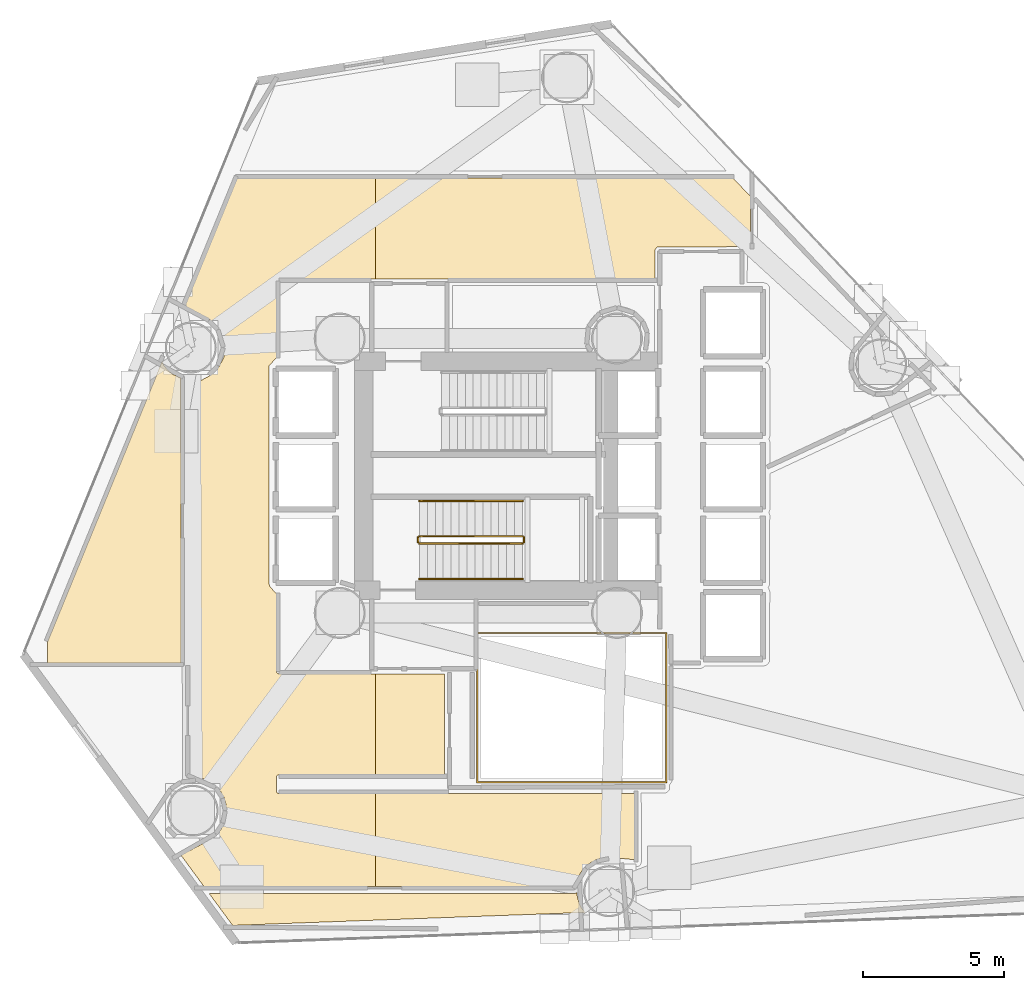
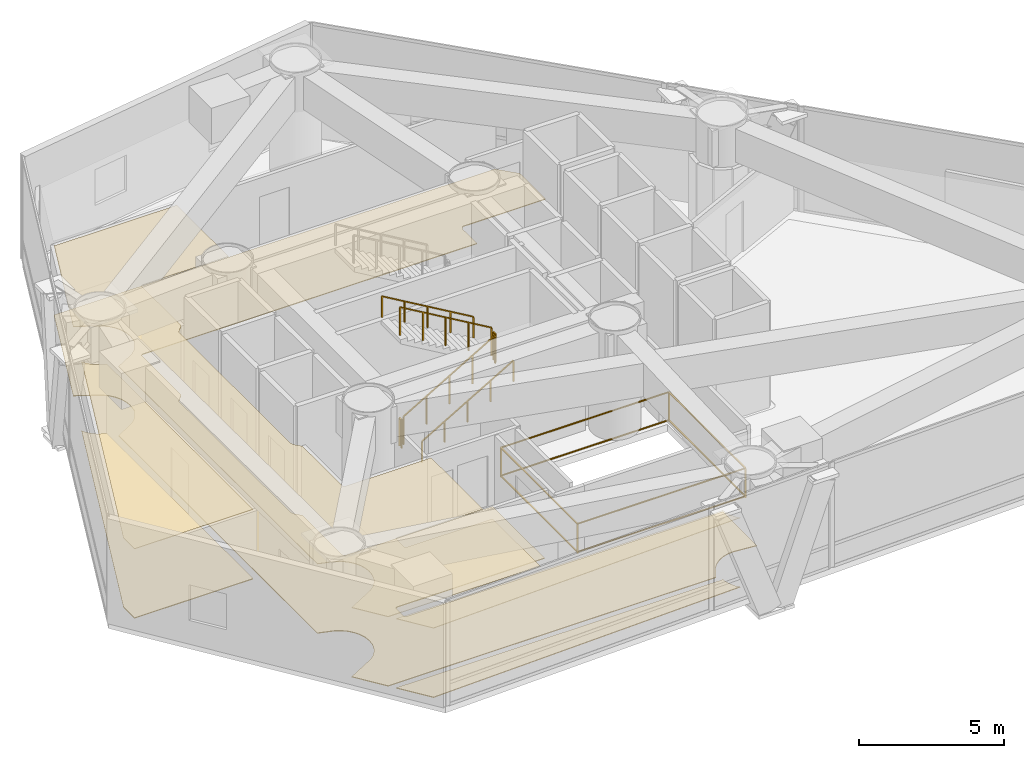
# One storey, part 20 of 22: 7 railings, 6 coverings.
"""IFC4 building model written with IfcOpenShell, lengths in metres."""

from ifc_helpers import new_model, si_unit, direction, frame, origin, origin_2d, place, context, subcontext, project, spatial, polyline, rectangle, outline, extrude, material, layer, layer_set, type_object, element, save


model = new_model("IFC4")

# Units and contexts
model_context = context("Model", 3, precision=1e-05, world=origin(), true_north=direction((0.0, 1.0)))
body_context = subcontext(model_context, "Body", "Model", "MODEL_VIEW")
ifc_project = project(units=[si_unit("LENGTHUNIT", "METRE"), si_unit("AREAUNIT", "SQUARE_METRE"), si_unit("VOLUMEUNIT", "CUBIC_METRE"), si_unit("PLANEANGLEUNIT", "RADIAN"), si_unit("MASSUNIT", "GRAM", prefix="KILO")], contexts=[model_context])

# Site, building, storey
site_placement = place(None, origin())
site = spatial("IfcSite", under=ifc_project, at=site_placement, CompositionType="ELEMENT")
building_placement = place(site_placement, origin())
building = spatial("IfcBuilding", under=site, at=building_placement, Name="Qianvela Tower", CompositionType="ELEMENT")
storey_placement = place(building_placement, frame((0.0, 0.0, 47.89990234375)))
storey = spatial("IfcBuildingStorey", under=building, at=storey_placement, Name="L11", CompositionType="ELEMENT", Elevation=47.89990234375)

# Coverings
ifc_material_1 = material(Name="Perforated Mineral Acoustic Ceiling Tile")
ifc_layer_1 = layer(ifc_material_1, 0.02490234375)
ifc_layer_set_1 = layer_set([ifc_layer_1], Name="Perforated Mineral Acoustic Ceiling Tile")
covering_type_1 = type_object("IfcCoveringType", Name="COV-CEIL-ACOUSTIC-25", PredefinedType="CEILING", material=ifc_layer_set_1)
covering_1_placement = place(storey_placement, frame((0.0, 0.0, 2.9150390625)))
element("IfcCovering", 1, at=covering_1_placement, inside=storey, type_object=covering_type_1, Name="L11 Acoustic Ceiling L11 Fire Refuge Area North", PredefinedType="CEILING", context=body_context, shape_type="SweptSolid", body=[
    extrude(outline(polyline([(22.324462890625, 32.740234375), (22.383544921875, 32.606689453125), (22.38671875, 32.600341796875), (22.390380859375, 32.593994140625), (22.394775390625, 32.58837890625), (22.526611328125, 32.427734375), (22.531982421875, 32.421875), (22.53759765625, 32.41650390625), (22.6982421875, 32.284912109375), (22.704345703125, 32.2802734375), (22.710693359375, 32.276611328125), (22.71728515625, 32.273193359375), (23.0, 32.1513671875), (23.0, 22.080078125), (18.280029296875, 22.080078125), (18.280029296875, 22.849365234375), (22.324462890625, 32.740234375)])), origin(), (0.0, 0.0, 1.0), 0.025146484375),
])
covering_2_placement = place(storey_placement, frame((0.0, 0.0, 2.9150390625)))
element("IfcCovering", 2, at=covering_2_placement, inside=storey, type_object=covering_type_1, Name="L11 Acoustic Ceiling Bay 1 L11 Mechanical Plant Corridor", PredefinedType="CEILING", context=body_context, shape_type="SweptSolid", body=[
    extrude(outline(polyline([(24.335693359375, 32.561279296875), (24.33984375, 32.568115234375), (24.49609375, 32.8603515625), (24.49951171875, 32.867431640625), (24.502197265625, 32.875), (24.50390625, 32.882568359375), (24.505126953125, 32.890380859375), (24.53759765625, 33.22021484375), (24.5380859375, 33.22802734375), (24.53759765625, 33.23583984375), (24.51611328125, 33.454345703125), (24.514892578125, 33.462158203125), (24.512939453125, 33.4697265625), (24.44921875, 33.6796875), (24.44677734375, 33.687255859375), (24.443359375, 33.6943359375), (24.33984375, 33.887939453125), (24.335693359375, 33.894775390625), (24.3310546875, 33.90087890625), (24.19189453125, 34.07080078125), (24.1865234375, 34.076416015625), (24.1806640625, 34.081787109375), (24.010986328125, 34.22119140625), (24.004638671875, 34.225830078125), (23.998046875, 34.229736328125), (23.12451171875, 34.69677734375), (24.97412109375, 39.219970703125), (29.857666015625, 39.219970703125), (29.857666015625, 35.659912109375), (26.449951171875, 35.659912109375), (26.442138671875, 35.65966796875), (26.434326171875, 35.658447265625), (26.4267578125, 35.656494140625), (26.41943359375, 35.65380859375), (26.412353515625, 35.650634765625), (26.405517578125, 35.646484375), (26.399169921875, 35.641845703125), (26.393310546875, 35.63671875), (26.38818359375, 35.630859375), (26.383544921875, 35.62451171875), (26.37939453125, 35.61767578125), (26.376220703125, 35.610595703125), (26.373291015625, 35.603271484375), (26.37158203125, 35.595703125), (26.370361328125, 35.587890625), (26.3701171875, 35.580078125), (26.3701171875, 32.8818359375), (26.1201171875, 32.598876953125), (26.114990234375, 32.592529296875), (26.1103515625, 32.58544921875), (26.106689453125, 32.578125), (26.103759765625, 32.5703125), (26.101806640625, 32.5625), (26.100341796875, 32.55419921875), (26.10009765625, 32.5458984375), (26.10009765625, 24.89990234375), (26.100341796875, 24.89306640625), (26.101318359375, 24.88623046875), (26.1025390625, 24.879638671875), (26.104736328125, 24.873046875), (26.136474609375, 24.7841796875), (26.139404296875, 24.777099609375), (26.143310546875, 24.77001953125), (26.1474609375, 24.763427734375), (26.152587890625, 24.757568359375), (26.3701171875, 24.517578125), (26.3701171875, 21.780029296875), (26.370361328125, 21.772216796875), (26.37158203125, 21.764404296875), (26.373291015625, 21.7568359375), (26.376220703125, 21.74951171875), (26.37939453125, 21.7421875), (26.383544921875, 21.735595703125), (26.38818359375, 21.729248046875), (26.393310546875, 21.723388671875), (26.399169921875, 21.71826171875), (26.405517578125, 21.71337890625), (26.412353515625, 21.70947265625), (26.41943359375, 21.7060546875), (26.4267578125, 21.703369140625), (26.434326171875, 21.701416015625), (26.442138671875, 21.700439453125), (26.449951171875, 21.699951171875), (29.857666015625, 21.699951171875), (29.857666015625, 18.1298828125), (26.449951171875, 18.1298828125), (26.442138671875, 18.129638671875), (26.434326171875, 18.12841796875), (26.4267578125, 18.126708984375), (26.41943359375, 18.123779296875), (26.412353515625, 18.12060546875), (26.405517578125, 18.116455078125), (26.399169921875, 18.11181640625), (26.393310546875, 18.106689453125), (26.38818359375, 18.100830078125), (26.383544921875, 18.094482421875), (26.37939453125, 18.087646484375), (26.376220703125, 18.08056640625), (26.373291015625, 18.0732421875), (26.37158203125, 18.065673828125), (26.370361328125, 18.057861328125), (26.3701171875, 18.050048828125), (26.3701171875, 17.550048828125), (26.370361328125, 17.542236328125), (26.37158203125, 17.534423828125), (26.373291015625, 17.52685546875), (26.376220703125, 17.519287109375), (26.37939453125, 17.51220703125), (26.383544921875, 17.505615234375), (26.38818359375, 17.499267578125), (26.393310546875, 17.493408203125), (26.399169921875, 17.48828125), (26.405517578125, 17.4833984375), (26.412353515625, 17.4794921875), (26.41943359375, 17.47607421875), (26.4267578125, 17.473388671875), (26.434326171875, 17.471435546875), (26.442138671875, 17.470458984375), (26.449951171875, 17.469970703125), (29.857666015625, 17.469970703125), (29.857666015625, 14.179931640625), (23.80517578125, 14.179931640625), (22.9912109375, 15.284912109375), (24.06396484375, 15.858154296875), (24.07080078125, 15.8623046875), (24.076904296875, 15.866943359375), (24.24658203125, 16.006103515625), (24.25244140625, 16.011474609375), (24.2578125, 16.017333984375), (24.397216796875, 16.18701171875), (24.40185546875, 16.193359375), (24.40576171875, 16.199951171875), (24.50927734375, 16.393798828125), (24.5126953125, 16.40087890625), (24.515380859375, 16.408203125), (24.5791015625, 16.618408203125), (24.580810546875, 16.6259765625), (24.58203125, 16.6337890625), (24.603515625, 16.852294921875), (24.60400390625, 16.860107421875), (24.603515625, 16.867919921875), (24.58203125, 17.086181640625), (24.580810546875, 17.093994140625), (24.5791015625, 17.101806640625), (24.515380859375, 17.311767578125), (24.5126953125, 17.319091796875), (24.50927734375, 17.326416015625), (24.40576171875, 17.52001953125), (24.40185546875, 17.526611328125), (24.397216796875, 17.532958984375), (24.2578125, 17.70263671875), (24.25244140625, 17.70849609375), (24.24658203125, 17.7138671875), (24.076904296875, 17.85302734375), (24.07080078125, 17.85791015625), (24.06396484375, 17.86181640625), (23.870361328125, 17.96533203125), (23.86328125, 17.96875), (23.855712890625, 17.97119140625), (23.280029296875, 18.14599609375), (23.280029296875, 31.84228515625), (23.998046875, 32.226318359375), (24.004638671875, 32.230224609375), (24.010986328125, 32.23486328125), (24.1806640625, 32.374267578125), (24.1865234375, 32.37939453125), (24.19189453125, 32.38525390625), (24.3310546875, 32.554931640625), (24.335693359375, 32.561279296875)])), origin(), (0.0, 0.0, 1.0), 0.025146484375),
])
covering_3_placement = place(storey_placement, frame((0.0, 0.0, 2.9150390625)))
element("IfcCovering", 3, at=covering_3_placement, inside=storey, type_object=covering_type_1, Name="L11 Acoustic Ceiling L11 Fire Refuge Area 3", PredefinedType="CEILING", context=body_context, shape_type="SweptSolid", body=[
    extrude(outline(polyline([(36.98388671875, 13.97216796875), (37.000732421875, 13.801513671875), (37.001953125, 13.793701171875), (37.00390625, 13.785888671875), (37.064208984375, 13.587158203125), (37.06689453125, 13.57958984375), (37.070068359375, 13.572509765625), (37.168212890625, 13.389404296875), (37.171630859375, 13.38330078125), (37.17578125, 13.37744140625), (37.180419921875, 13.3720703125), (37.281494140625, 13.265380859375), (24.8173828125, 12.805419921875), (23.981689453125, 13.93994140625), (36.908935546875, 13.9404296875), (36.91748046875, 13.94091796875), (36.926025390625, 13.942138671875), (36.934326171875, 13.944580078125), (36.9423828125, 13.94775390625), (36.949951171875, 13.951904296875), (36.98388671875, 13.97216796875)])), origin(), (0.0, 0.0, 1.0), 0.025146484375),
])
ifc_material_2 = material(Name="Honed Stone Terrazzo Flooring", Category="masonry")
ifc_layer_2 = layer(ifc_material_2, 0.030029296875)
ifc_layer_set_2 = layer_set([ifc_layer_2], Name="Honed Stone Terrazzo Flooring")
covering_type_2 = type_object("IfcCoveringType", Name="COV-FLOOR-TERRAZZO-30", PredefinedType="FLOORING", material=ifc_layer_set_2)
covering_4_placement = place(storey_placement, origin())
element("IfcCovering", 4, at=covering_4_placement, inside=storey, type_object=covering_type_2, Name="L11 Finish Flooring L11 Fire Refuge Area North", PredefinedType="FLOORING", context=body_context, shape_type="SweptSolid", body=[
    extrude(outline(polyline([(22.324462890625, 32.740234375), (22.383544921875, 32.606689453125), (22.38671875, 32.600341796875), (22.390380859375, 32.593994140625), (22.394775390625, 32.58837890625), (22.526611328125, 32.427734375), (22.531982421875, 32.421875), (22.53759765625, 32.41650390625), (22.6982421875, 32.284912109375), (22.704345703125, 32.2802734375), (22.710693359375, 32.276611328125), (22.71728515625, 32.273193359375), (23.0, 32.1513671875), (23.0, 22.080078125), (18.280029296875, 22.080078125), (18.280029296875, 22.849365234375), (22.324462890625, 32.740234375)])), origin(), (0.0, 0.0, 1.0), 0.030029296875),
])
covering_5_placement = place(storey_placement, origin())
element("IfcCovering", 5, at=covering_5_placement, inside=storey, type_object=covering_type_2, Name="L11 Finish Flooring L11 Mechanical Plant Corridor", PredefinedType="FLOORING", context=body_context, shape_type="SweptSolid", body=[
    extrude(outline(polyline([(24.3310546875, 32.554931640625), (24.335693359375, 32.561279296875), (24.33984375, 32.568115234375), (24.49609375, 32.8603515625), (24.49951171875, 32.867431640625), (24.502197265625, 32.875), (24.50390625, 32.882568359375), (24.505126953125, 32.890380859375), (24.53759765625, 33.22021484375), (24.5380859375, 33.22802734375), (24.53759765625, 33.23583984375), (24.51611328125, 33.454345703125), (24.514892578125, 33.462158203125), (24.512939453125, 33.4697265625), (24.44921875, 33.6796875), (24.44677734375, 33.687255859375), (24.443359375, 33.6943359375), (24.33984375, 33.887939453125), (24.335693359375, 33.894775390625), (24.3310546875, 33.90087890625), (24.19189453125, 34.07080078125), (24.1865234375, 34.076416015625), (24.1806640625, 34.081787109375), (24.010986328125, 34.22119140625), (24.004638671875, 34.225830078125), (23.998046875, 34.229736328125), (23.12451171875, 34.69677734375), (24.97412109375, 39.219970703125), (42.50146484375, 39.219970703125), (43.1201171875, 38.56591796875), (43.1201171875, 36.7919921875), (39.86181640625, 36.789306640625), (39.853759765625, 36.788818359375), (39.845458984375, 36.78759765625), (39.83740234375, 36.785400390625), (39.829833984375, 36.782470703125), (39.822509765625, 36.77880859375), (39.8154296875, 36.7744140625), (39.808837890625, 36.769287109375), (39.802978515625, 36.763427734375), (39.797607421875, 36.757080078125), (39.753662109375, 36.69775390625), (39.7490234375, 36.690673828125), (39.7451171875, 36.68310546875), (39.741943359375, 36.675048828125), (39.73974609375, 36.6669921875), (39.738525390625, 36.658447265625), (39.738037109375, 36.64990234375), (39.738037109375, 35.659912109375), (26.449951171875, 35.659912109375), (26.442138671875, 35.65966796875), (26.434326171875, 35.658447265625), (26.4267578125, 35.656494140625), (26.41943359375, 35.65380859375), (26.412353515625, 35.650634765625), (26.405517578125, 35.646484375), (26.399169921875, 35.641845703125), (26.393310546875, 35.63671875), (26.38818359375, 35.630859375), (26.383544921875, 35.62451171875), (26.37939453125, 35.61767578125), (26.376220703125, 35.610595703125), (26.373291015625, 35.603271484375), (26.37158203125, 35.595703125), (26.370361328125, 35.587890625), (26.3701171875, 35.580078125), (26.3701171875, 32.8818359375), (26.1201171875, 32.598876953125), (26.114990234375, 32.592529296875), (26.1103515625, 32.58544921875), (26.106689453125, 32.578125), (26.103759765625, 32.5703125), (26.101806640625, 32.5625), (26.100341796875, 32.55419921875), (26.10009765625, 32.5458984375), (26.10009765625, 24.89990234375), (26.100341796875, 24.89306640625), (26.101318359375, 24.88623046875), (26.1025390625, 24.879638671875), (26.104736328125, 24.873046875), (26.136474609375, 24.7841796875), (26.139404296875, 24.777099609375), (26.143310546875, 24.77001953125), (26.1474609375, 24.763427734375), (26.152587890625, 24.757568359375), (26.3701171875, 24.517578125), (26.3701171875, 21.780029296875), (26.370361328125, 21.772216796875), (26.37158203125, 21.764404296875), (26.373291015625, 21.7568359375), (26.376220703125, 21.74951171875), (26.37939453125, 21.7421875), (26.383544921875, 21.735595703125), (26.38818359375, 21.729248046875), (26.393310546875, 21.723388671875), (26.399169921875, 21.71826171875), (26.405517578125, 21.71337890625), (26.412353515625, 21.70947265625), (26.41943359375, 21.7060546875), (26.4267578125, 21.703369140625), (26.434326171875, 21.701416015625), (26.442138671875, 21.700439453125), (26.449951171875, 21.699951171875), (32.30810546875, 21.699951171875), (32.30810546875, 18.1298828125), (26.449951171875, 18.1298828125), (26.442138671875, 18.129638671875), (26.434326171875, 18.12841796875), (26.4267578125, 18.126708984375), (26.41943359375, 18.123779296875), (26.412353515625, 18.12060546875), (26.405517578125, 18.116455078125), (26.399169921875, 18.11181640625), (26.393310546875, 18.106689453125), (26.38818359375, 18.100830078125), (26.383544921875, 18.094482421875), (26.37939453125, 18.087646484375), (26.376220703125, 18.08056640625), (26.373291015625, 18.0732421875), (26.37158203125, 18.065673828125), (26.370361328125, 18.057861328125), (26.3701171875, 18.050048828125), (26.3701171875, 17.550048828125), (26.370361328125, 17.542236328125), (26.37158203125, 17.534423828125), (26.373291015625, 17.52685546875), (26.376220703125, 17.519287109375), (26.37939453125, 17.51220703125), (26.383544921875, 17.505615234375), (26.38818359375, 17.499267578125), (26.393310546875, 17.493408203125), (26.399169921875, 17.48828125), (26.405517578125, 17.4833984375), (26.412353515625, 17.4794921875), (26.41943359375, 17.47607421875), (26.4267578125, 17.473388671875), (26.434326171875, 17.471435546875), (26.442138671875, 17.470458984375), (26.449951171875, 17.469970703125), (39.02001953125, 17.469970703125), (39.02001953125, 15.127685546875), (38.127685546875, 15.215576171875), (38.1201171875, 15.216064453125), (38.1123046875, 15.215576171875), (37.893798828125, 15.194091796875), (37.885986328125, 15.19287109375), (37.87841796875, 15.19091796875), (37.668212890625, 15.127197265625), (37.660888671875, 15.124755859375), (37.65380859375, 15.121337890625), (37.4599609375, 15.017822265625), (37.453369140625, 15.013916015625), (37.447021484375, 15.009033203125), (37.27734375, 14.869873046875), (37.271484375, 14.864501953125), (37.26611328125, 14.858642578125), (37.126953125, 14.68896484375), (37.122314453125, 14.6826171875), (37.1181640625, 14.676025390625), (36.85302734375, 14.179931640625), (23.80517578125, 14.179931640625), (22.9912109375, 15.284912109375), (24.06396484375, 15.858154296875), (24.07080078125, 15.8623046875), (24.076904296875, 15.866943359375), (24.24658203125, 16.006103515625), (24.25244140625, 16.011474609375), (24.2578125, 16.017333984375), (24.397216796875, 16.18701171875), (24.40185546875, 16.193359375), (24.40576171875, 16.199951171875), (24.50927734375, 16.393798828125), (24.5126953125, 16.40087890625), (24.515380859375, 16.408203125), (24.5791015625, 16.618408203125), (24.580810546875, 16.6259765625), (24.58203125, 16.6337890625), (24.603515625, 16.852294921875), (24.60400390625, 16.860107421875), (24.603515625, 16.867919921875), (24.58203125, 17.086181640625), (24.580810546875, 17.093994140625), (24.5791015625, 17.101806640625), (24.515380859375, 17.311767578125), (24.5126953125, 17.319091796875), (24.50927734375, 17.326416015625), (24.40576171875, 17.52001953125), (24.40185546875, 17.526611328125), (24.397216796875, 17.532958984375), (24.2578125, 17.70263671875), (24.25244140625, 17.70849609375), (24.24658203125, 17.7138671875), (24.076904296875, 17.85302734375), (24.07080078125, 17.85791015625), (24.06396484375, 17.86181640625), (23.870361328125, 17.96533203125), (23.86328125, 17.96875), (23.855712890625, 17.97119140625), (23.280029296875, 18.14599609375), (23.280029296875, 31.84228515625), (23.998046875, 32.226318359375), (24.004638671875, 32.230224609375), (24.010986328125, 32.23486328125), (24.1806640625, 32.374267578125), (24.1865234375, 32.37939453125), (24.19189453125, 32.38525390625), (24.3310546875, 32.554931640625)])), origin(), (0.0, 0.0, 1.0), 0.030029296875),
])
covering_6_placement = place(storey_placement, origin())
element("IfcCovering", 6, at=covering_6_placement, inside=storey, type_object=covering_type_2, Name="L11 Finish Flooring L11 Fire Refuge Area 3", PredefinedType="FLOORING", context=body_context, shape_type="SweptSolid", body=[
    extrude(outline(polyline([(36.98388671875, 13.97216796875), (37.000732421875, 13.801513671875), (37.001953125, 13.793701171875), (37.00390625, 13.785888671875), (37.064208984375, 13.587158203125), (37.06689453125, 13.57958984375), (37.070068359375, 13.572509765625), (37.168212890625, 13.389404296875), (37.171630859375, 13.38330078125), (37.17578125, 13.37744140625), (37.180419921875, 13.3720703125), (37.281494140625, 13.265380859375), (24.8173828125, 12.805419921875), (23.981689453125, 13.93994140625), (36.908935546875, 13.9404296875), (36.91748046875, 13.94091796875), (36.926025390625, 13.942138671875), (36.934326171875, 13.944580078125), (36.9423828125, 13.94775390625), (36.949951171875, 13.951904296875), (36.98388671875, 13.97216796875)])), origin(), (0.0, 0.0, 1.0), 0.030029296875),
])

# Railings
ifc_material_3 = material(Name="Laminated Safety Glass and Stainless Steel 316", Category="steel")
railing_type_1 = type_object("IfcRailingType", Name="RL-ATRIUM-GUARD-1250", PredefinedType="GUARDRAIL", material=ifc_material_3)
railing_1_placement = place(storey_placement, frame((33.4599609375, 17.860107421875, 0.0)))
element("IfcRailing", 7, at=railing_1_placement, inside=storey, type_object=railing_type_1, Name="L11 Atrium Edge Guardrail 1", PredefinedType="GUARDRAIL", context=body_context, shape_type="SweptSolid", body=[
    extrude(rectangle(XDim=0.050048828125, YDim=0.0400390625, at=origin_2d()), frame((0.0, 0.0, 1.22998046875), z_axis=(0.0, 1.0, 0.0), x_axis=(-1.0, 0.0, 0.0)), (0.0, 0.0, 1.0), 5.27978515625),
    extrude(rectangle(XDim=0.050048828125, YDim=0.0400390625, at=origin_2d()), frame((0.0, 0.0, 0.050048828125), z_axis=(0.0, 1.0, 0.0), x_axis=(-1.0, 0.0, 0.0)), (0.0, 0.0, 1.0), 5.27978515625),
    extrude(rectangle(XDim=0.050048828125, YDim=0.0400390625, at=origin_2d()), frame((0.0, 5.27978515625, 1.22998046875), z_axis=(1.0, 0.0, 0.0), x_axis=(0.0, 1.0, 0.0)), (0.0, 0.0, 1.0), 6.679931640625),
    extrude(rectangle(XDim=0.050048828125, YDim=0.0400390625, at=origin_2d()), frame((0.0, 5.27978515625, 0.050048828125), z_axis=(1.0, 0.0, 0.0), x_axis=(0.0, 1.0, 0.0)), (0.0, 0.0, 1.0), 6.679931640625),
    extrude(rectangle(XDim=0.050048828125, YDim=0.0400390625, at=origin_2d()), frame((6.679931640625, 5.27978515625, 1.22998046875), z_axis=(0.0, -1.0, 0.0), x_axis=(1.0, 0.0, 0.0)), (0.0, 0.0, 1.0), 5.27978515625),
    extrude(rectangle(XDim=0.050048828125, YDim=0.0400390625, at=origin_2d()), frame((6.679931640625, 5.27978515625, 0.050048828125), z_axis=(0.0, -1.0, 0.0), x_axis=(1.0, 0.0, 0.0)), (0.0, 0.0, 1.0), 5.27978515625),
    extrude(rectangle(XDim=0.050048828125, YDim=0.0400390625, at=origin_2d()), frame((6.679931640625, 0.0, 1.22998046875), z_axis=(-1.0, 0.0, 0.0), x_axis=(0.0, -1.0, 0.0)), (0.0, 0.0, 1.0), 6.679931640625),
    extrude(rectangle(XDim=0.050048828125, YDim=0.0400390625, at=origin_2d()), frame((6.679931640625, 0.0, 0.050048828125), z_axis=(-1.0, 0.0, 0.0), x_axis=(0.0, -1.0, 0.0)), (0.0, 0.0, 1.0), 6.679931640625),
    extrude(rectangle(XDim=0.050048828125, YDim=0.050048828125, at=origin_2d()), origin(), (0.0, 0.0, 1.0), 1.2099609375),
    extrude(rectangle(XDim=0.050048828125, YDim=0.050048828125, at=origin_2d()), frame((0.0, 5.27978515625, 0.0)), (0.0, 0.0, 1.0), 1.2099609375),
    extrude(rectangle(XDim=0.050048828125, YDim=0.050048828125, at=origin_2d()), frame((6.679931640625, 5.27978515625, 0.0)), (0.0, 0.0, 1.0), 1.2099609375),
    extrude(rectangle(XDim=0.050048828125, YDim=0.050048828125, at=origin_2d()), frame((6.679931640625, 0.0, 0.0)), (0.0, 0.0, 1.0), 1.2099609375),
])
ifc_material_4 = material(Name="Painted Tubular Steel Q355B", Category="steel")
railing_type_2 = type_object("IfcRailingType", Name="RL-STAIR-GUARD-1200", PredefinedType="GUARDRAIL", material=ifc_material_4)
railing_2_placement = place(storey_placement, frame((31.419921875, 26.300048828125, 0.164306640625)))
element("IfcRailing", 8, at=railing_2_placement, inside=storey, type_object=railing_type_2, Name="L11 ST-2 stair guard 1", PredefinedType="GUARDRAIL", context=body_context, shape_type="SweptSolid", body=[
    extrude(rectangle(XDim=0.050048828125, YDim=0.0400390625, at=origin_2d()), frame((0.0, 0.0, 1.179931640625), z_axis=(0.862504707072, 0.0, 0.506049039401), x_axis=(0.0, 1.0, 0.0)), (0.0, 0.0, 1.0), 4.220458984375),
    extrude(rectangle(XDim=0.050048828125, YDim=0.050048828125, at=origin_2d()), origin(), (0.0, 0.0, 1.0), 1.159912109375),
    extrude(rectangle(XDim=0.050048828125, YDim=0.050048828125, at=origin_2d()), frame((0.91015625, 0.0, 0.533935546875)), (0.0, 0.0, 1.0), 1.159912109375),
    extrude(rectangle(XDim=0.050048828125, YDim=0.050048828125, at=origin_2d()), frame((1.820068359375, 0.0, 1.06787109375)), (0.0, 0.0, 1.0), 1.159912109375),
    extrude(rectangle(XDim=0.050048828125, YDim=0.050048828125, at=origin_2d()), frame((2.72998046875, 0.0, 1.601806640625)), (0.0, 0.0, 1.0), 1.159912109375),
    extrude(rectangle(XDim=0.050048828125, YDim=0.050048828125, at=origin_2d()), frame((3.64013671875, 0.0, 2.1357421875)), (0.0, 0.0, 1.0), 1.159912109375),
])
railing_3_placement = place(storey_placement, frame((35.110107421875, 26.35009765625, 2.300048828125)))
element("IfcRailing", 9, at=railing_3_placement, inside=storey, type_object=railing_type_2, Name="L11 ST-2 stair guard 2", PredefinedType="GUARDRAIL", context=body_context, shape_type="SweptSolid", body=[
    extrude(rectangle(XDim=0.050048828125, YDim=0.0400390625, at=origin_2d()), frame((0.0, 0.0, 1.179931640625), z_axis=(0.0, 1.0, 0.0), x_axis=(-1.0, 0.0, 0.0)), (0.0, 0.0, 1.0), 0.159912109375),
    extrude(rectangle(XDim=0.050048828125, YDim=0.050048828125, at=origin_2d()), origin(), (0.0, 0.0, 1.0), 1.159912109375),
    extrude(rectangle(XDim=0.050048828125, YDim=0.050048828125, at=origin_2d()), frame((0.0, 0.159912109375, 0.0)), (0.0, 0.0, 1.0), 1.159912109375),
])
railing_4_placement = place(storey_placement, frame((35.06005859375, 26.56005859375, 2.46435546875)))
element("IfcRailing", 10, at=railing_4_placement, inside=storey, type_object=railing_type_2, Name="L11 ST-2 stair guard 3", PredefinedType="GUARDRAIL", context=body_context, shape_type="SweptSolid", body=[
    extrude(rectangle(XDim=0.050048828125, YDim=0.0400390625, at=origin_2d()), frame((0.0, 0.0, 1.179931640625), z_axis=(-0.862504707072, 0.0, 0.506049039401), x_axis=(0.0, -1.0, 0.0)), (0.0, 0.0, 1.0), 4.220458984375),
    extrude(rectangle(XDim=0.050048828125, YDim=0.050048828125, at=origin_2d()), origin(), (0.0, 0.0, 1.0), 1.159912109375),
    extrude(rectangle(XDim=0.050048828125, YDim=0.050048828125, at=origin_2d()), frame((-0.91015625, 0.0, 0.533935546875)), (0.0, 0.0, 1.0), 1.159912109375),
    extrude(rectangle(XDim=0.050048828125, YDim=0.050048828125, at=origin_2d()), frame((-1.820068359375, 0.0, 1.06787109375)), (0.0, 0.0, 1.0), 1.159912109375),
    extrude(rectangle(XDim=0.050048828125, YDim=0.050048828125, at=origin_2d()), frame((-2.72998046875, 0.0, 1.601806640625)), (0.0, 0.0, 1.0), 1.159912109375),
    extrude(rectangle(XDim=0.050048828125, YDim=0.050048828125, at=origin_2d()), frame((-3.64013671875, 0.0, 2.1357421875)), (0.0, 0.0, 1.0), 1.159912109375),
])
railing_5_placement = place(storey_placement, frame((31.3701171875, 26.35009765625, 0.0)))
element("IfcRailing", 11, at=railing_5_placement, inside=storey, type_object=railing_type_2, Name="L11 ST-2 stair guard 4", PredefinedType="GUARDRAIL", context=body_context, shape_type="SweptSolid", body=[
    extrude(rectangle(XDim=0.050048828125, YDim=0.0400390625, at=origin_2d()), frame((0.0, 0.0, 1.179931640625), z_axis=(0.0, 1.0, 0.0), x_axis=(-1.0, 0.0, 0.0)), (0.0, 0.0, 1.0), 0.159912109375),
    extrude(rectangle(XDim=0.050048828125, YDim=0.050048828125, at=origin_2d()), origin(), (0.0, 0.0, 1.0), 1.159912109375),
    extrude(rectangle(XDim=0.050048828125, YDim=0.050048828125, at=origin_2d()), frame((0.0, 0.159912109375, 0.0)), (0.0, 0.0, 1.0), 1.159912109375),
])
ifc_material_5 = material(Name="Brushed Stainless Steel 304", Category="steel")
railing_type_3 = type_object("IfcRailingType", Name="RL-STAIR-HANDRAIL-900", PredefinedType="HANDRAIL", material=ifc_material_5)
railing_6_placement = place(storey_placement, frame((31.419921875, 25.050048828125, 0.164306640625)))
element("IfcRailing", 12, at=railing_6_placement, inside=storey, type_object=railing_type_3, Name="L11 ST-2 stair handrail 1", PredefinedType="HANDRAIL", context=body_context, shape_type="SweptSolid", body=[
    extrude(rectangle(XDim=0.050048828125, YDim=0.0400390625, at=origin_2d()), frame((0.0, 0.0, 0.8798828125), z_axis=(0.862504707072, 0.0, 0.506049039401), x_axis=(0.0, 1.0, 0.0)), (0.0, 0.0, 1.0), 4.220458984375),
    extrude(rectangle(XDim=0.050048828125, YDim=0.050048828125, at=origin_2d()), origin(), (0.0, 0.0, 1.0), 0.85986328125),
    extrude(rectangle(XDim=0.050048828125, YDim=0.050048828125, at=origin_2d()), frame((0.91015625, 0.0, 0.533935546875)), (0.0, 0.0, 1.0), 0.85986328125),
    extrude(rectangle(XDim=0.050048828125, YDim=0.050048828125, at=origin_2d()), frame((1.820068359375, 0.0, 1.06787109375)), (0.0, 0.0, 1.0), 0.85986328125),
    extrude(rectangle(XDim=0.050048828125, YDim=0.050048828125, at=origin_2d()), frame((2.72998046875, 0.0, 1.601806640625)), (0.0, 0.0, 1.0), 0.85986328125),
    extrude(rectangle(XDim=0.050048828125, YDim=0.050048828125, at=origin_2d()), frame((3.64013671875, 0.0, 2.1357421875)), (0.0, 0.0, 1.0), 0.85986328125),
])
railing_7_placement = place(storey_placement, frame((35.06005859375, 27.81005859375, 2.46435546875)))
element("IfcRailing", 13, at=railing_7_placement, inside=storey, type_object=railing_type_3, Name="L11 ST-2 stair handrail 2", PredefinedType="HANDRAIL", context=body_context, shape_type="SweptSolid", body=[
    extrude(rectangle(XDim=0.050048828125, YDim=0.0400390625, at=origin_2d()), frame((0.0, 0.0, 0.8798828125), z_axis=(-0.862504707072, 0.0, 0.506049039401), x_axis=(0.0, -1.0, 0.0)), (0.0, 0.0, 1.0), 4.220458984375),
    extrude(rectangle(XDim=0.050048828125, YDim=0.050048828125, at=origin_2d()), origin(), (0.0, 0.0, 1.0), 0.85986328125),
    extrude(rectangle(XDim=0.050048828125, YDim=0.050048828125, at=origin_2d()), frame((-0.91015625, 0.0, 0.533935546875)), (0.0, 0.0, 1.0), 0.85986328125),
    extrude(rectangle(XDim=0.050048828125, YDim=0.050048828125, at=origin_2d()), frame((-1.820068359375, 0.0, 1.06787109375)), (0.0, 0.0, 1.0), 0.85986328125),
    extrude(rectangle(XDim=0.050048828125, YDim=0.050048828125, at=origin_2d()), frame((-2.72998046875, 0.0, 1.601806640625)), (0.0, 0.0, 1.0), 0.85986328125),
    extrude(rectangle(XDim=0.050048828125, YDim=0.050048828125, at=origin_2d()), frame((-3.64013671875, 0.0, 2.1357421875)), (0.0, 0.0, 1.0), 0.85986328125),
])

save(model, "model.ifc")
